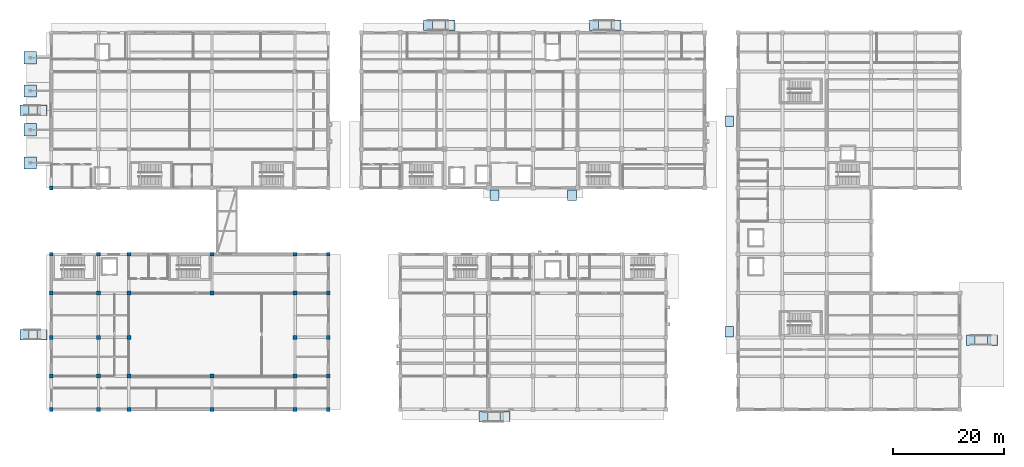
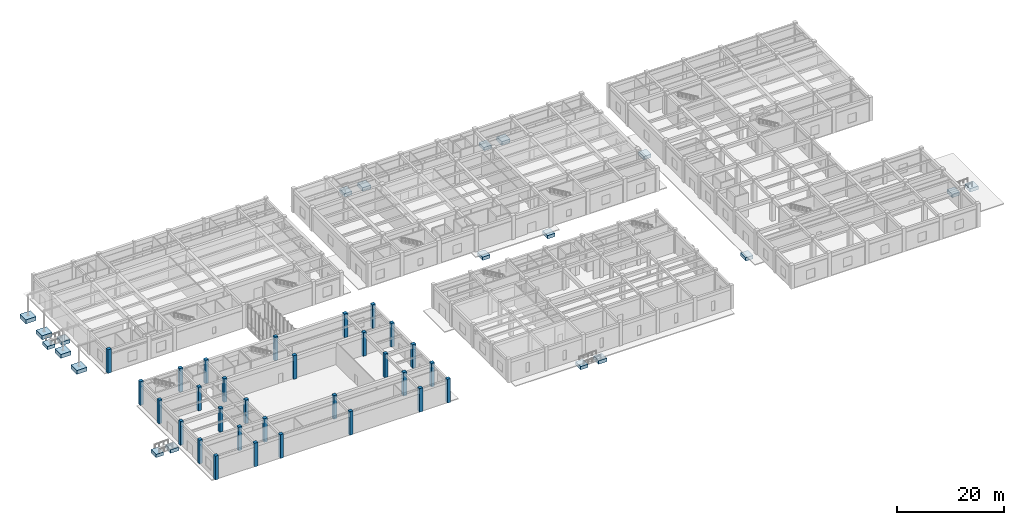
# One storey, part 1 of 40: 30 columns, 20 footings.
"""IFC4 building model written with IfcOpenShell, lengths in metres."""

from ifc_helpers import new_model, si_unit, direction, frame, origin, origin_2d, place, context, subcontext, project, spatial, rectangle, extrude, material, material_profile, profile_set, type_object, element, save


model = new_model("IFC4")

# Units and contexts
model_context = context("Model", 3, precision=1e-05, world=origin(), true_north=direction((0.0, 1.0)))
body_context = subcontext(model_context, "Body", "Model", "MODEL_VIEW")
ifc_project = project(units=[si_unit("LENGTHUNIT", "METRE"), si_unit("AREAUNIT", "SQUARE_METRE"), si_unit("VOLUMEUNIT", "CUBIC_METRE"), si_unit("PLANEANGLEUNIT", "RADIAN"), si_unit("MASSUNIT", "GRAM", prefix="KILO")], contexts=[model_context])

# Site, building, storey
site_placement = place(None, origin())
site = spatial("IfcSite", under=ifc_project, at=site_placement, CompositionType="ELEMENT")
building_placement = place(site_placement, origin())
building = spatial("IfcBuilding", under=site, at=building_placement, Name="Naurynzar Civic Courthouse", CompositionType="ELEMENT")
storey_placement = place(building_placement, origin())
storey = spatial("IfcBuildingStorey", under=building, at=storey_placement, Name="L01", CompositionType="ELEMENT", Elevation=0.0)

# Footings
ifc_material_1 = material(Name="Concrete C35/45", Category="concrete")
footing_type_1 = type_object("IfcFootingType", Name="PAD-1600x1900x750", PredefinedType="PAD_FOOTING", material=ifc_material_1)
for number, where, z_axis, x_axis, name in (
    (1, (86.0, 42.699951171875, -0.965087890625), (0.0, 0.0, 1.0), (1.0, 0.0, 0.0), "Exterior exit threshold grade footing PF-PAV-V2S-1"),
    (2, (100.0, 42.699951171875, -0.965087890625), (0.0, 0.0, 1.0), (1.0, 0.0, 0.0), "Exterior exit threshold grade footing PF-PAV-V2S-2"),
    (3, (128.39990234375, 18.0, -0.965087890625), (0.0, 0.0, 1.0), (1.0, 0.0, 0.0), "Exterior exit threshold grade footing PF-PAV-V5W-1"),
    (4, (128.39990234375, 56.0, -0.965087890625), (0.0, 0.0, 1.0), (1.0, 0.0, 0.0), "Exterior exit threshold grade footing PF-PAV-V5W-2"),
    (5, (1.14990234375, 58.0, -0.885009765625), (0.0, 0.0, 1.0), (1.0, 0.0, 0.0), "Accessible ramp low-end grade footing 1"),
    (6, (1.14990234375, 17.5, -0.885009765625), (0.0, 0.0, 1.0), (1.0, 0.0, 0.0), "Accessible ramp low-end grade footing 2"),
    (7, (74.0, 73.35009765625, -0.885009765625), (0.0, 0.0, 1.0), (1.0, 0.0, 0.0), "Accessible ramp low-end grade footing 3"),
    (8, (104.0, 73.35009765625, -0.885009765625), (0.0, 0.0, 1.0), (1.0, 0.0, 0.0), "Accessible ramp low-end grade footing 4"),
    (9, (84.0, 2.64990234375, -0.885009765625), (0.0, 0.0, 1.0), (1.0, 0.0, 0.0), "Accessible ramp low-end grade footing 5"),
    (10, (172.0, 16.5, -0.885009765625), (0.0, 0.0, 1.0), (1.0, 0.0, 0.0), "Accessible ramp low-end grade footing 6"),
):
    element("IfcFooting", number, at=place(storey_placement, frame(where, z_axis=z_axis, x_axis=x_axis)), inside=storey, type_object=footing_type_1, Name=name, PredefinedType="PAD_FOOTING", context=body_context, shape_type="SweptSolid", body=[
        extrude(rectangle(XDim=1.60009765625, YDim=1.89990234375, at=origin_2d()), origin(), (0.0, 0.0, 1.0), 0.75),
    ])
ifc_material_2 = material(Name="Concrete C35/45", Category="concrete")
footing_type_2 = type_object("IfcFootingType", Name="PAD-1800x1900x800", PredefinedType="PAD_FOOTING", material=ifc_material_2)
for number, where, z_axis, x_axis, name in (
    (11, (4.35009765625, 58.0, -0.97998046875), (0.0, 0.0, 1.0), (1.0, 0.0, 0.0), "Accessible ramp high-end grade footing 1"),
    (12, (4.35009765625, 17.5, -0.97998046875), (0.0, 0.0, 1.0), (1.0, 0.0, 0.0), "Accessible ramp high-end grade footing 2"),
    (13, (77.949951171875, 73.35009765625, -0.97998046875), (0.0, 0.0, 1.0), (1.0, 0.0, 0.0), "Accessible ramp high-end grade footing 3"),
    (14, (107.949951171875, 73.35009765625, -0.97998046875), (0.0, 0.0, 1.0), (1.0, 0.0, 0.0), "Accessible ramp high-end grade footing 4"),
    (15, (87.949951171875, 2.64990234375, -0.97998046875), (0.0, 0.0, 1.0), (1.0, 0.0, 0.0), "Accessible ramp high-end grade footing 5"),
    (16, (175.949951171875, 16.5, -0.97998046875), (0.0, 0.0, 1.0), (1.0, 0.0, 0.0), "Accessible ramp high-end grade footing 6"),
):
    element("IfcFooting", number, at=place(storey_placement, frame(where, z_axis=z_axis, x_axis=x_axis)), inside=storey, type_object=footing_type_2, Name=name, PredefinedType="PAD_FOOTING", context=body_context, shape_type="SweptSolid", body=[
        extrude(rectangle(XDim=1.800048828125, YDim=1.89990234375, at=origin_2d()), origin(), (0.0, 0.0, 1.0), 0.800048828125),
    ])
ifc_material_3 = material(Name="Concrete C35/45", Category="concrete")
footing_type_3 = type_object("IfcFootingType", Name="PAD-2200x2200x900", PredefinedType="PAD_FOOTING", material=ifc_material_3)
for number, where, z_axis, x_axis, name in (
    (17, (2.199951171875, 48.5, -0.89990234375), (0.0, 0.0, 1.0), (1.0, 0.0, 0.0), "West canopy pad footing 1"),
    (18, (2.199951171875, 54.5, -0.89990234375), (0.0, 0.0, 1.0), (1.0, 0.0, 0.0), "West canopy pad footing 2"),
    (19, (2.199951171875, 61.5, -0.89990234375), (0.0, 0.0, 1.0), (1.0, 0.0, 0.0), "West canopy pad footing 3"),
    (20, (2.199951171875, 67.5, -0.89990234375), (0.0, 0.0, 1.0), (1.0, 0.0, 0.0), "West canopy pad footing 4"),
):
    element("IfcFooting", number, at=place(storey_placement, frame(where, z_axis=z_axis, x_axis=x_axis)), inside=storey, type_object=footing_type_3, Name=name, PredefinedType="PAD_FOOTING", context=body_context, shape_type="SweptSolid", body=[
        extrude(rectangle(XDim=2.199951171875, YDim=2.199951171875, at=origin_2d()), origin(), (0.0, 0.0, 1.0), 0.89990234375),
    ])

# Columns
ifc_material_4 = material(Name="Concrete C40/50", Category="concrete")
ifc_material_profile = material_profile(ifc_material_4, rectangle(XDim=0.699951171875, YDim=0.699951171875, at=origin_2d()), Name="RC 700x700")
ifc_profile_set = profile_set([ifc_material_profile], Name="Concrete C40/50")
column_type = type_object("IfcColumnType", Name="COL-RC-700", PredefinedType="COLUMN", material=ifc_profile_set)
for number, where, z_axis, x_axis, name in (
    (21, (6.0, 44.0, 0.0), (0.0, 0.0, 1.0), (1.0, 0.0, 0.0), "V1 column (6.0,44.0) L01"),
    (22, (6.0, 4.0, 0.0), (0.0, 0.0, 1.0), (1.0, 0.0, 0.0), "V4 column (6.0,4.0) L01"),
    (23, (6.0, 10.0, 0.0), (0.0, 0.0, 1.0), (1.0, 0.0, 0.0), "V4 column (6.0,10.0) L01"),
    (24, (6.0, 17.0, 0.0), (0.0, 0.0, 1.0), (1.0, 0.0, 0.0), "V4 column (6.0,17.0) L01"),
    (25, (6.0, 25.0, 0.0), (0.0, 0.0, 1.0), (1.0, 0.0, 0.0), "V4 column (6.0,25.0) L01"),
    (26, (6.0, 32.0, 0.0), (0.0, 0.0, 1.0), (1.0, 0.0, 0.0), "V4 column (6.0,32.0) L01"),
    (27, (14.5, 4.0, 0.0), (0.0, 0.0, 1.0), (1.0, 0.0, 0.0), "V4 column (14.5,4.0) L01"),
    (28, (14.5, 10.0, 0.0), (0.0, 0.0, 1.0), (1.0, 0.0, 0.0), "V4 column (14.5,10.0) L01"),
    (29, (14.5, 17.0, 0.0), (0.0, 0.0, 1.0), (1.0, 0.0, 0.0), "V4 column (14.5,17.0) L01"),
    (30, (14.5, 25.0, 0.0), (0.0, 0.0, 1.0), (1.0, 0.0, 0.0), "V4 column (14.5,25.0) L01"),
    (31, (14.5, 32.0, 0.0), (0.0, 0.0, 1.0), (1.0, 0.0, 0.0), "V4 column (14.5,32.0) L01"),
    (32, (20.0, 4.0, 0.0), (0.0, 0.0, 1.0), (1.0, 0.0, 0.0), "V4 column (20.0,4.0) L01"),
    (33, (20.0, 10.0, 0.0), (0.0, 0.0, 1.0), (1.0, 0.0, 0.0), "V4 column (20.0,10.0) L01"),
    (34, (20.0, 17.0, 0.0), (0.0, 0.0, 1.0), (1.0, 0.0, 0.0), "V4 column (20.0,17.0) L01"),
    (35, (20.0, 25.0, 0.0), (0.0, 0.0, 1.0), (1.0, 0.0, 0.0), "V4 column (20.0,25.0) L01"),
    (36, (20.0, 32.0, 0.0), (0.0, 0.0, 1.0), (1.0, 0.0, 0.0), "V4 column (20.0,32.0) L01"),
    (37, (35.0, 4.0, 0.0), (0.0, 0.0, 1.0), (1.0, 0.0, 0.0), "V4 column (35.0,4.0) L01"),
    (38, (35.0, 10.0, 0.0), (0.0, 0.0, 1.0), (1.0, 0.0, 0.0), "V4 column (35.0,10.0) L01"),
    (39, (35.0, 25.0, 0.0), (0.0, 0.0, 1.0), (1.0, 0.0, 0.0), "V4 column (35.0,25.0) L01"),
    (40, (35.0, 32.0, 0.0), (0.0, 0.0, 1.0), (1.0, 0.0, 0.0), "V4 column (35.0,32.0) L01"),
    (41, (50.0, 4.0, 0.0), (0.0, 0.0, 1.0), (1.0, 0.0, 0.0), "V4 column (50.0,4.0) L01"),
    (42, (50.0, 10.0, 0.0), (0.0, 0.0, 1.0), (1.0, 0.0, 0.0), "V4 column (50.0,10.0) L01"),
    (43, (50.0, 17.0, 0.0), (0.0, 0.0, 1.0), (1.0, 0.0, 0.0), "V4 column (50.0,17.0) L01"),
    (44, (50.0, 25.0, 0.0), (0.0, 0.0, 1.0), (1.0, 0.0, 0.0), "V4 column (50.0,25.0) L01"),
    (45, (50.0, 32.0, 0.0), (0.0, 0.0, 1.0), (1.0, 0.0, 0.0), "V4 column (50.0,32.0) L01"),
    (46, (56.0, 4.0, 0.0), (0.0, 0.0, 1.0), (1.0, 0.0, 0.0), "V4 column (56.0,4.0) L01"),
    (47, (56.0, 10.0, 0.0), (0.0, 0.0, 1.0), (1.0, 0.0, 0.0), "V4 column (56.0,10.0) L01"),
    (48, (56.0, 17.0, 0.0), (0.0, 0.0, 1.0), (1.0, 0.0, 0.0), "V4 column (56.0,17.0) L01"),
    (49, (56.0, 25.0, 0.0), (0.0, 0.0, 1.0), (1.0, 0.0, 0.0), "V4 column (56.0,25.0) L01"),
    (50, (56.0, 32.0, 0.0), (0.0, 0.0, 1.0), (1.0, 0.0, 0.0), "V4 column (56.0,32.0) L01"),
):
    element("IfcColumn", number, at=place(storey_placement, frame(where, z_axis=z_axis, x_axis=x_axis)), inside=storey, type_object=column_type, Name=name, PredefinedType="COLUMN", context=body_context, shape_type="SweptSolid", body=[
        extrude(rectangle(XDim=0.699951171875, YDim=0.699951171875, at=origin_2d()), origin(), (0.0, 0.0, 1.0), 5.39990234375),
    ])

save(model, "model.ifc")
